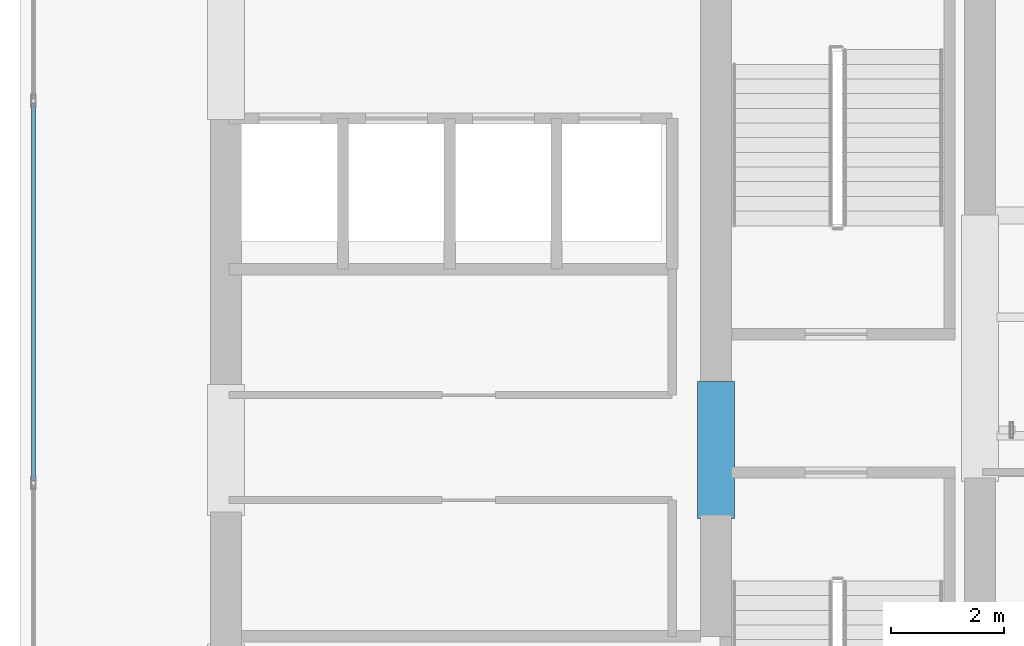
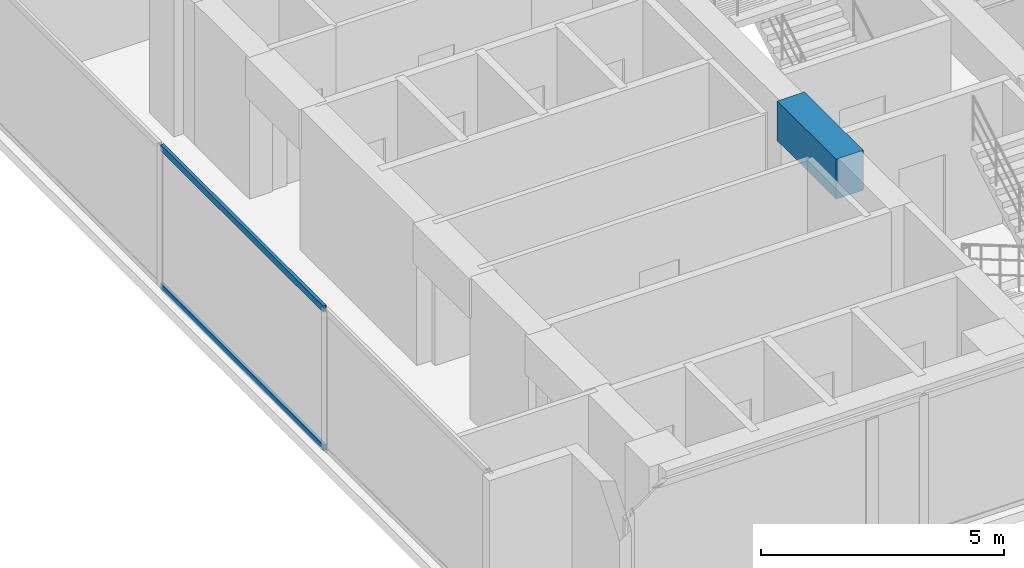
# One storey, part 3 of 23: 2 members, 1 beam, 1 element without a shape of its own.
"""IFC4 building model written with IfcOpenShell, lengths in metres."""

from ifc_helpers import new_model, si_unit, direction, frame, origin, origin_with_axes, origin_2d, place, context, subcontext, project, spatial, rectangle, hollow_rectangle, extrude, source, transform, mapped, material, layer, layer_set, material_profile, profile_set, type_object, element, aggregate, save


model = new_model("IFC4")

# Units and contexts
model_context = context("Model", 3, precision=1e-05, world=origin(), true_north=direction((0.0, 1.0)))
body_context = subcontext(model_context, "Body", "Model", "MODEL_VIEW")
ifc_project = project(units=[si_unit("LENGTHUNIT", "METRE"), si_unit("AREAUNIT", "SQUARE_METRE"), si_unit("VOLUMEUNIT", "CUBIC_METRE"), si_unit("PLANEANGLEUNIT", "RADIAN"), si_unit("MASSUNIT", "GRAM", prefix="KILO")], contexts=[model_context])

# Site, building, storey
site_placement = place(None, origin())
site = spatial("IfcSite", under=ifc_project, at=site_placement, CompositionType="ELEMENT")
building_placement = place(site_placement, origin())
building = spatial("IfcBuilding", under=site, at=building_placement, Name="Kolvaren Waterfront Exchange", CompositionType="ELEMENT")
storey_placement = place(building_placement, frame((0.0, 0.0, 250.10009765625)))
storey = spatial("IfcBuildingStorey", under=building, at=storey_placement, Name="L64", CompositionType="ELEMENT", Elevation=250.10009765625)

# Beam
ifc_material_1 = material(Name="Concrete C60/75", Category="concrete")
ifc_material_profile_1 = material_profile(ifc_material_1, rectangle(XDim=0.64990234375, YDim=1.0, at=origin_2d()), Name="RC-CB-1000x650")
ifc_profile_set_1 = profile_set([ifc_material_profile_1], Name="Concrete C60/75")
beam_type = type_object("IfcBeamType", Name="STR-CB-1000", PredefinedType="SPANDREL", material=ifc_profile_set_1)
beam_placement = place(storey_placement, frame((16.125, 12.0400390625, 3.059814453125), z_axis=(0.0, 1.0, 0.0), x_axis=(-1.0, 0.0, 0.0)))
element("IfcBeam", 1, at=beam_placement, inside=storey, type_object=beam_type, Name="L64 core coupling beam 6", PredefinedType="SPANDREL", context=body_context, shape_type="SweptSolid", body=[
    extrude(rectangle(XDim=0.64990234375, YDim=1.0, at=origin_2d()), origin(), (0.0, 0.0, 1.0), 2.419921875),
])

# Curtain wall, members
ifc_material_2 = material(Name="Anodised aluminium 6063-T6", Category="aluminium")
ifc_layer = layer(ifc_material_2, 0.219970703125, Name="Anodised aluminium 6063-T6")
ifc_layer_set = layer_set([ifc_layer], Name="Anodised aluminium 6063-T6")
curtain_wall_type = type_object("IfcCurtainWallType", Name="ARC-CW-SYS2", PredefinedType="USERDEFINED", material=ifc_layer_set)
curtain_wall_placement = place(storey_placement, origin())
curtain_wall = element("IfcCurtainWall", 2, at=curtain_wall_placement, inside=storey, type_object=curtain_wall_type, Name="L64 stick curtain wall CW2 (CW-L64-W)", ObjectType="STICK CURTAIN WALL", PredefinedType="USERDEFINED")
ifc_material_profile_2 = material_profile(ifc_material_2, hollow_rectangle(XDim=0.074951171875, YDim=0.159912109375, WallThickness=0.00439453125, at=origin_2d()), Name="ALU-TRN-160x75x4.5")
ifc_profile_set_2 = profile_set([ifc_material_profile_2], Name="Anodised aluminium 6063-T6")
member_type = type_object("IfcMemberType", Name="ARC-CWT-160", PredefinedType="USERDEFINED", material=ifc_profile_set_2)
shared_shape = source(origin_with_axes(), body_context, "Body", "SweptSolid", [
    extrude(hollow_rectangle(XDim=0.074951171875, YDim=0.159912109375, WallThickness=0.00439453125, at=origin_2d()), origin(), (0.0, 0.0, 1.0), 6.6865234375),
])
member_1_placement = place(storey_placement, frame((4.0400390625, 12.706787109375, 0.037353515625), z_axis=(0.0, 1.0, 0.0), x_axis=(-1.0, 0.0, 0.0)))
member_1 = element("IfcMember", 3, at=member_1_placement, type_object=member_type, Name="CW2 transom 2.1", ObjectType="TRANSOM", PredefinedType="USERDEFINED", context=body_context, shape_type="MappedRepresentation", body=[
    mapped(shared_shape, transform((0.0, 0.0, 0.0), x_axis=(1.0, 0.0, 0.0), y_axis=(0.0, 1.0, 0.0), z_axis=(0.0, 0.0, 1.0), scale=1.0)),
])
member_2_placement = place(storey_placement, frame((4.0400390625, 12.706787109375, 3.5224609375), z_axis=(0.0, 1.0, 0.0), x_axis=(-1.0, 0.0, 0.0)))
member_2 = element("IfcMember", 4, at=member_2_placement, type_object=member_type, Name="CW2 transom 2.2", ObjectType="TRANSOM", PredefinedType="USERDEFINED", context=body_context, shape_type="MappedRepresentation", body=[
    mapped(shared_shape, transform((0.0, 0.0, 0.0), x_axis=(1.0, 0.0, 0.0), y_axis=(0.0, 1.0, 0.0), z_axis=(0.0, 0.0, 1.0), scale=1.0)),
])
aggregate(curtain_wall, [member_1, member_2])

save(model, "model.ifc")
